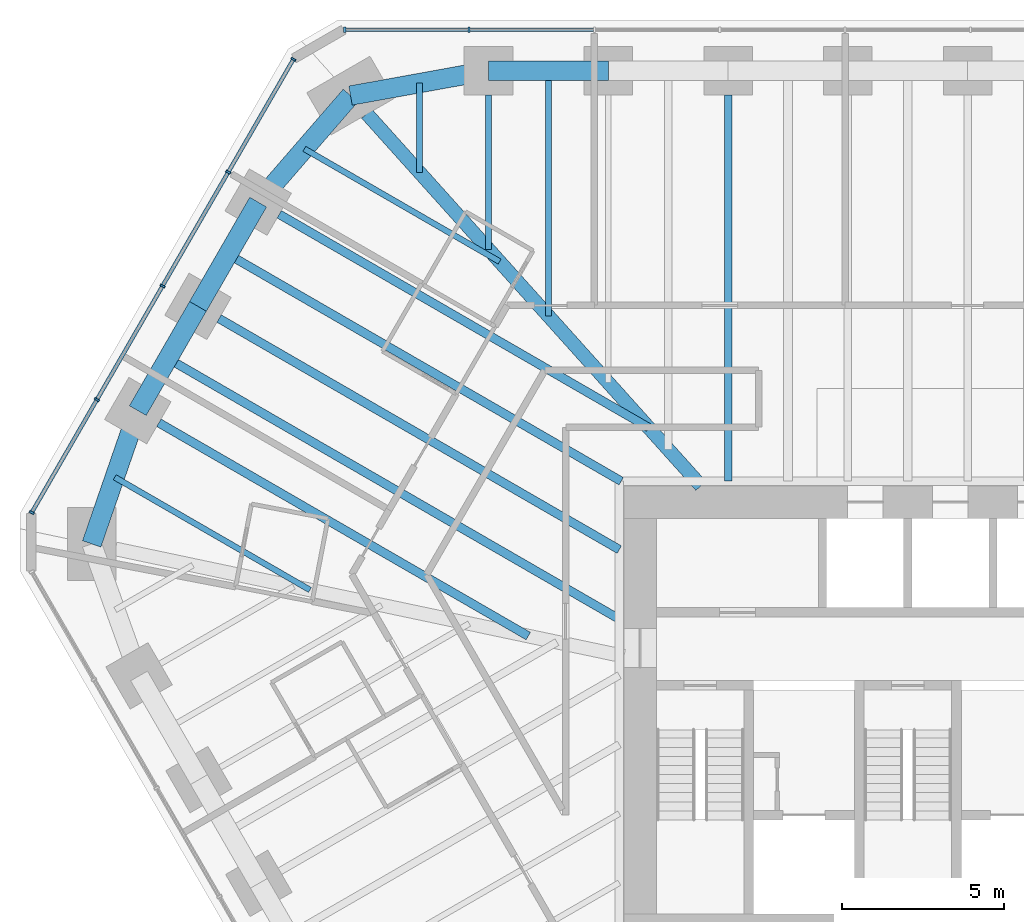
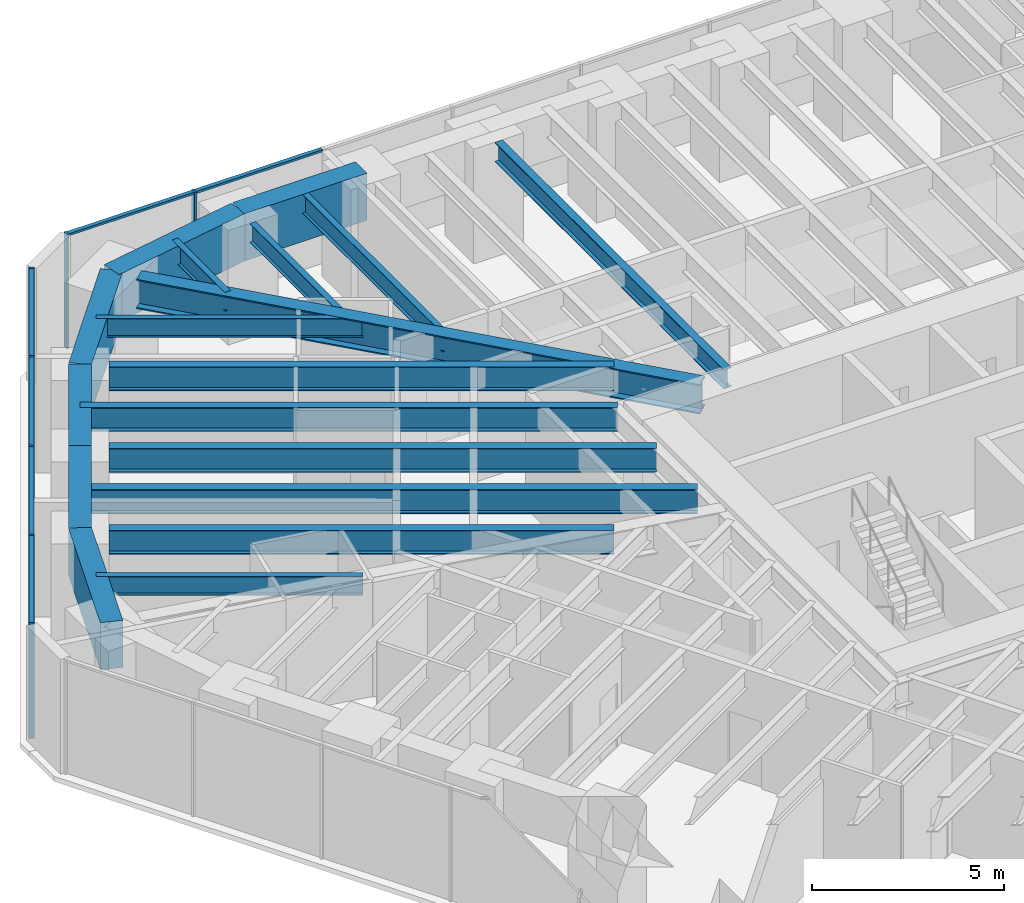
# One storey, part 7 of 16: 18 beams, 13 members, 2 elements without a shape of their own.
"""IFC4 building model written with IfcOpenShell, lengths in metres."""

from ifc_helpers import new_model, si_unit, direction, frame, origin, origin_2d, place, context, subcontext, project, spatial, rectangle, i_section, extrude, material, material_profile, profile_set, type_object, element, aggregate, save


model = new_model("IFC4")

# Units and contexts
model_context = context("Model", 3, precision=1e-05, world=origin(), true_north=direction((0.0, 1.0)))
body_context = subcontext(model_context, "Body", "Model", "MODEL_VIEW")
ifc_project = project(units=[si_unit("LENGTHUNIT", "METRE"), si_unit("AREAUNIT", "SQUARE_METRE"), si_unit("VOLUMEUNIT", "CUBIC_METRE"), si_unit("PLANEANGLEUNIT", "RADIAN"), si_unit("MASSUNIT", "GRAM", prefix="KILO")], contexts=[model_context])

# Site, building, storey
site_placement = place(None, origin())
site = spatial("IfcSite", under=ifc_project, at=site_placement, CompositionType="ELEMENT")
building_placement = place(site_placement, origin())
building = spatial("IfcBuilding", under=site, at=building_placement, Name="Sandreach Pilgrim Tower", CompositionType="ELEMENT")
storey_placement = place(building_placement, frame((0.0, 0.0, 228.800048828125)))
storey = spatial("IfcBuildingStorey", under=building, at=storey_placement, Name="L57", CompositionType="ELEMENT", Elevation=228.800048828125)

# Curtain wall, members
ifc_material_1 = material(Name="Aluminium framed curtain wall", Category="aluminium")
curtain_wall_type = type_object("IfcCurtainWallType", Name="Upper hotel tower curtain wall", PredefinedType="NOTDEFINED", material=ifc_material_1)
curtain_wall_1_placement = place(storey_placement, origin())
curtain_wall_1 = element("IfcCurtainWall", 1, at=curtain_wall_1_placement, inside=storey, type_object=curtain_wall_type, Name="CW-3 L57 N", PredefinedType="NOTDEFINED")
ifc_material_2 = material(Name="Aluminium extrusion", Category="aluminium")
ifc_material_profile_1 = material_profile(ifc_material_2, rectangle(XDim=0.06494140625, YDim=0.159912109375, at=origin_2d()), Name="CW-3M 65X160")
ifc_profile_set_1 = profile_set([ifc_material_profile_1], Name="Aluminium extrusion")
member_type_1 = type_object("IfcMemberType", Name="CW-3 mullion", PredefinedType="MULLION", material=ifc_profile_set_1)
member_1_placement = place(storey_placement, frame((-17.357421875, 21.16015625, 0.0), z_axis=(0.0, 0.0, 1.0), x_axis=(1.0, 0.0, 0.0)))
member_1 = element("IfcMember", 2, at=member_1_placement, type_object=member_type_1, Name="CW-3 mullion 1", PredefinedType="MULLION", context=body_context, shape_type="SweptSolid", body=[
    extrude(rectangle(XDim=0.06494140625, YDim=0.159912109375, at=origin_2d()), origin(), (0.0, 0.0, 1.0), 3.639892578125),
])
member_2_placement = place(storey_placement, frame((-13.525390625, 21.16015625, 0.0), z_axis=(0.0, 0.0, 1.0), x_axis=(1.0, 0.0, 0.0)))
member_2 = element("IfcMember", 3, at=member_2_placement, type_object=member_type_1, Name="CW-3 mullion 2", PredefinedType="MULLION", context=body_context, shape_type="SweptSolid", body=[
    extrude(rectangle(XDim=0.06494140625, YDim=0.159912109375, at=origin_2d()), origin(), (0.0, 0.0, 1.0), 3.639892578125),
])

curtain_wall_2_placement = place(storey_placement, origin())
curtain_wall_2 = element("IfcCurtainWall", 4, at=curtain_wall_2_placement, inside=storey, type_object=curtain_wall_type, Name="CW-3 L57 NW", PredefinedType="NOTDEFINED")
member_3_placement = place(storey_placement, frame((-27.00390625, 6.278076171875, 0.0), z_axis=(0.0, 0.0, 1.0), x_axis=(0.5, 0.866025403784, 0.0)))
member_3 = element("IfcMember", 5, at=member_3_placement, type_object=member_type_1, Name="CW-3 mullion 1", PredefinedType="MULLION", context=body_context, shape_type="SweptSolid", body=[
    extrude(rectangle(XDim=0.06494140625, YDim=0.159912109375, at=origin_2d()), origin(), (0.0, 0.0, 1.0), 3.639892578125),
])
member_4_placement = place(storey_placement, frame((-24.995849609375, 9.75634765625, 0.0), z_axis=(0.0, 0.0, 1.0), x_axis=(0.5, 0.866025403784, 0.0)))
member_4 = element("IfcMember", 6, at=member_4_placement, type_object=member_type_1, Name="CW-3 mullion 2", PredefinedType="MULLION", context=body_context, shape_type="SweptSolid", body=[
    extrude(rectangle(XDim=0.06494140625, YDim=0.159912109375, at=origin_2d()), origin(), (0.0, 0.0, 1.0), 3.639892578125),
])
member_5_placement = place(storey_placement, frame((-22.971435546875, 13.262451171875, 0.0), z_axis=(0.0, 0.0, 1.0), x_axis=(0.5, 0.866025403784, 0.0)))
member_5 = element("IfcMember", 7, at=member_5_placement, type_object=member_type_1, Name="CW-3 mullion 3", PredefinedType="MULLION", context=body_context, shape_type="SweptSolid", body=[
    extrude(rectangle(XDim=0.06494140625, YDim=0.159912109375, at=origin_2d()), origin(), (0.0, 0.0, 1.0), 3.639892578125),
])
member_6_placement = place(storey_placement, frame((-20.947021484375, 16.768798828125, 0.0), z_axis=(0.0, 0.0, 1.0), x_axis=(0.5, 0.866025403784, 0.0)))
member_6 = element("IfcMember", 8, at=member_6_placement, type_object=member_type_1, Name="CW-3 mullion 4", PredefinedType="MULLION", context=body_context, shape_type="SweptSolid", body=[
    extrude(rectangle(XDim=0.06494140625, YDim=0.159912109375, at=origin_2d()), origin(), (0.0, 0.0, 1.0), 3.639892578125),
])
member_7_placement = place(storey_placement, frame((-18.93896484375, 20.2470703125, 0.0), z_axis=(0.0, 0.0, 1.0), x_axis=(0.5, 0.866025403784, 0.0)))
member_7 = element("IfcMember", 9, at=member_7_placement, type_object=member_type_1, Name="CW-3 mullion 5", PredefinedType="MULLION", context=body_context, shape_type="SweptSolid", body=[
    extrude(rectangle(XDim=0.06494140625, YDim=0.159912109375, at=origin_2d()), origin(), (0.0, 0.0, 1.0), 3.639892578125),
])

# Member
ifc_material_3 = material(Name="Aluminium extrusion", Category="aluminium")
ifc_material_profile_2 = material_profile(ifc_material_3, rectangle(XDim=0.1201171875, YDim=0.070068359375, at=origin_2d()), Name="CW-3T 120X70")
ifc_profile_set_2 = profile_set([ifc_material_profile_2], Name="Aluminium extrusion")
member_type_2 = type_object("IfcMemberType", Name="CW-3 transom", PredefinedType="USERDEFINED", material=ifc_profile_set_2)
member_8_placement = place(storey_placement, frame((-17.324951171875, 21.16015625, 3.60498046875), z_axis=(1.0, 0.0, 0.0), x_axis=(0.0, 1.0, 0.0)))
member_8 = element("IfcMember", 10, at=member_8_placement, type_object=member_type_2, Name="CW-3 head transom 1", ObjectType="TRANSOM", PredefinedType="USERDEFINED", context=body_context, shape_type="SweptSolid", body=[
    extrude(rectangle(XDim=0.1201171875, YDim=0.070068359375, at=origin_2d()), origin(), (0.0, 0.0, 1.0), 3.76708984375),
])

member_9_placement = place(storey_placement, frame((-13.492919921875, 21.16015625, 3.60498046875), z_axis=(1.0, 0.0, 0.0), x_axis=(0.0, 1.0, 0.0)))
member_9 = element("IfcMember", 11, at=member_9_placement, type_object=member_type_2, Name="CW-3 head transom 2", ObjectType="TRANSOM", PredefinedType="USERDEFINED", context=body_context, shape_type="SweptSolid", body=[
    extrude(rectangle(XDim=0.1201171875, YDim=0.070068359375, at=origin_2d()), origin(), (0.0, 0.0, 1.0), 3.79931640625),
])

aggregate(curtain_wall_1, [member_1, member_2, member_8, member_9])

member_10_placement = place(storey_placement, frame((-26.987548828125, 6.306396484375, 3.60498046875), z_axis=(0.499993448556, 0.866029186229, 0.0), x_axis=(-0.866029186229, 0.499993448556, 0.0)))
member_10 = element("IfcMember", 12, at=member_10_placement, type_object=member_type_2, Name="CW-3 head transom 1", ObjectType="TRANSOM", PredefinedType="USERDEFINED", context=body_context, shape_type="SweptSolid", body=[
    extrude(rectangle(XDim=0.1201171875, YDim=0.070068359375, at=origin_2d()), origin(), (0.0, 0.0, 1.0), 3.951171875),
])

member_11_placement = place(storey_placement, frame((-24.9794921875, 9.784423828125, 3.60498046875), z_axis=(0.499975332564, 0.866039645067, 0.0), x_axis=(-0.866039645067, 0.499975332564, 0.0)))
member_11 = element("IfcMember", 13, at=member_11_placement, type_object=member_type_2, Name="CW-3 head transom 2", ObjectType="TRANSOM", PredefinedType="USERDEFINED", context=body_context, shape_type="SweptSolid", body=[
    extrude(rectangle(XDim=0.1201171875, YDim=0.070068359375, at=origin_2d()), origin(), (0.0, 0.0, 1.0), 3.983642578125),
])

member_12_placement = place(storey_placement, frame((-22.955078125, 13.290771484375, 3.60498046875), z_axis=(0.499975332564, 0.866039645067, 0.0), x_axis=(-0.866039645067, 0.499975332564, 0.0)))
member_12 = element("IfcMember", 14, at=member_12_placement, type_object=member_type_2, Name="CW-3 head transom 3", ObjectType="TRANSOM", PredefinedType="USERDEFINED", context=body_context, shape_type="SweptSolid", body=[
    extrude(rectangle(XDim=0.1201171875, YDim=0.070068359375, at=origin_2d()), origin(), (0.0, 0.0, 1.0), 3.983642578125),
])

member_13_placement = place(storey_placement, frame((-20.930908203125, 16.796875, 3.60498046875), z_axis=(0.499993448556, 0.866029186229, 0.0), x_axis=(-0.866029186229, 0.499993448556, 0.0)))
member_13 = element("IfcMember", 15, at=member_13_placement, type_object=member_type_2, Name="CW-3 head transom 4", ObjectType="TRANSOM", PredefinedType="USERDEFINED", context=body_context, shape_type="SweptSolid", body=[
    extrude(rectangle(XDim=0.1201171875, YDim=0.070068359375, at=origin_2d()), origin(), (0.0, 0.0, 1.0), 3.951171875),
])

aggregate(curtain_wall_2, [member_3, member_4, member_5, member_6, member_7, member_10, member_11, member_12, member_13])

# Beams
ifc_material_4 = material(Name="Steel ASTM A992 Grade 50", Category="steel")
ifc_material_profile_3 = material_profile(ifc_material_4, i_section(OverallWidth=0.421630859375, OverallDepth=0.937255859375, WebThickness=0.0224609375, FlangeThickness=0.039794921875, at=origin_2d()), Name="W36X282")
ifc_profile_set_3 = profile_set([ifc_material_profile_3], Name="Steel ASTM A992 Grade 50")
beam_type_1 = type_object("IfcBeamType", Name="Corner girder W36X282", PredefinedType="BEAM", material=ifc_profile_set_3)
beam_1_placement = place(storey_placement, frame((-16.677001953125, 18.572509765625, 3.17138671875), z_axis=(0.668116607722, -0.744056582853, 0.0), x_axis=(0.744056582853, 0.668116607722, 0.0)))
element("IfcBeam", 16, at=beam_1_placement, inside=storey, type_object=beam_type_1, Name="BM L57 CG39", PredefinedType="BEAM", context=body_context, shape_type="SweptSolid", body=[
    extrude(i_section(OverallWidth=0.421630859375, OverallDepth=0.937255859375, WebThickness=0.0224609375, FlangeThickness=0.039794921875, at=origin_2d()), origin(), (0.0, 0.0, 1.0), 15.418701171875),
])
ifc_material_5 = material(Name="Steel ASTM A992 Grade 50", Category="steel")
ifc_material_profile_4 = material_profile(ifc_material_5, i_section(OverallWidth=0.1787109375, OverallDepth=0.60205078125, WebThickness=0.010986328125, FlangeThickness=0.014892578125, at=origin_2d()), Name="W24X62")
ifc_profile_set_4 = profile_set([ifc_material_profile_4], Name="Steel ASTM A992 Grade 50")
beam_type_2 = type_object("IfcBeamType", Name="Floor beam W24X62", PredefinedType="BEAM", material=ifc_profile_set_4)
beam_2_placement = place(storey_placement, frame((-12.923828125, 19.150146484375, 3.3388671875), z_axis=(0.0, -1.0, 0.0), x_axis=(1.0, 0.0, 0.0)))
element("IfcBeam", 17, at=beam_2_placement, inside=storey, type_object=beam_type_2, Name="BM L57 F01", PredefinedType="BEAM", context=body_context, shape_type="SweptSolid", body=[
    extrude(i_section(OverallWidth=0.1787109375, OverallDepth=0.60205078125, WebThickness=0.010986328125, FlangeThickness=0.014892578125, at=origin_2d()), origin(), (0.0, 0.0, 1.0), 4.757568359375),
])
beam_3_placement = place(storey_placement, frame((-11.077392578125, 19.900146484375, 3.3388671875), z_axis=(0.0, -1.0, 0.0), x_axis=(1.0, 0.0, 0.0)))
element("IfcBeam", 18, at=beam_3_placement, inside=storey, type_object=beam_type_2, Name="BM L57 FM01", PredefinedType="BEAM", context=body_context, shape_type="SweptSolid", body=[
    extrude(i_section(OverallWidth=0.1787109375, OverallDepth=0.60205078125, WebThickness=0.010986328125, FlangeThickness=0.014892578125, at=origin_2d()), origin(), (0.0, 0.0, 1.0), 7.563720703125),
])
for number, where, z_axis, x_axis, name in (
    (19, (-24.446044921875, 7.365234375, 3.3388671875), (0.866029381593, -0.499993110171, 0.0), (0.499993110171, 0.866029381593, 0.0), "BM L57 FM35"),
    (20, (-18.6015625, 17.48828125, 3.3388671875), (0.866029381593, -0.499993110171, 0.0), (0.499993110171, 0.866029381593, 0.0), "BM L57 FM38"),
):
    element("IfcBeam", number, at=place(storey_placement, frame(where, z_axis=z_axis, x_axis=x_axis)), inside=storey, type_object=beam_type_2, Name=name, PredefinedType="BEAM", context=body_context, shape_type="SweptSolid", body=[
        extrude(i_section(OverallWidth=0.1787109375, OverallDepth=0.60205078125, WebThickness=0.010986328125, FlangeThickness=0.014892578125, at=origin_2d()), origin(), (0.0, 0.0, 1.0), 6.94921875),
    ])
beam_4_placement = place(storey_placement, frame((-15.05078125, 19.515380859375, 3.3388671875), z_axis=(0.0, -1.0, 0.0), x_axis=(1.0, 0.0, 0.0)))
element("IfcBeam", 21, at=beam_4_placement, inside=storey, type_object=beam_type_2, Name="BM L57 FM39", PredefinedType="BEAM", context=body_context, shape_type="SweptSolid", body=[
    extrude(i_section(OverallWidth=0.1787109375, OverallDepth=0.60205078125, WebThickness=0.010986328125, FlangeThickness=0.014892578125, at=origin_2d()), origin(), (0.0, 0.0, 1.0), 2.75390625),
])
ifc_material_6 = material(Name="Steel ASTM A992 Grade 50", Category="steel")
ifc_material_profile_5 = material_profile(ifc_material_6, i_section(OverallWidth=0.23046875, OverallDepth=0.6171875, WebThickness=0.01318359375, FlangeThickness=0.022216796875, at=origin_2d()), Name="W24X94")
ifc_profile_set_5 = profile_set([ifc_material_profile_5], Name="Steel ASTM A992 Grade 50")
beam_type_3 = type_object("IfcBeamType", Name="Floor beam W24X94", PredefinedType="BEAM", material=ifc_profile_set_5)
beam_5_placement = place(storey_placement, frame((-5.538818359375, 19.150146484375, 3.331298828125), z_axis=(0.0, -1.0, 0.0), x_axis=(1.0, 0.0, 0.0)))
element("IfcBeam", 22, at=beam_5_placement, inside=storey, type_object=beam_type_3, Name="BM L57 F03", PredefinedType="BEAM", context=body_context, shape_type="SweptSolid", body=[
    extrude(i_section(OverallWidth=0.23046875, OverallDepth=0.6171875, WebThickness=0.01318359375, FlangeThickness=0.022216796875, at=origin_2d()), origin(), (0.0, 0.0, 1.0), 11.90673828125),
])
ifc_material_7 = material(Name="Steel ASTM A992 Grade 50", Category="steel")
ifc_material_profile_6 = material_profile(ifc_material_7, i_section(OverallWidth=0.2666015625, OverallDepth=0.761962890625, WebThickness=0.014404296875, FlangeThickness=0.021484375, at=origin_2d()), Name="W30X116")
ifc_profile_set_6 = profile_set([ifc_material_profile_6], Name="Steel ASTM A992 Grade 50")
beam_type_4 = type_object("IfcBeamType", Name="Floor beam W30X116", PredefinedType="BEAM", material=ifc_profile_set_6)
beam_6_placement = place(storey_placement, frame((-23.0859375, 9.044189453125, 3.259033203125), z_axis=(0.866026962808, -0.499997299682, 0.0), x_axis=(0.499997299682, 0.866026962808, 0.0)))
element("IfcBeam", 23, at=beam_6_placement, inside=storey, type_object=beam_type_4, Name="BM L57 F36", PredefinedType="BEAM", context=body_context, shape_type="SweptSolid", body=[
    extrude(i_section(OverallWidth=0.2666015625, OverallDepth=0.761962890625, WebThickness=0.014404296875, FlangeThickness=0.021484375, at=origin_2d()), origin(), (0.0, 0.0, 1.0), 13.1484375),
])
beam_7_placement = place(storey_placement, frame((-21.230712890625, 12.257568359375, 3.259033203125), z_axis=(0.866024056942, -0.500002332792, 0.0), x_axis=(0.500002332792, 0.866024056942, 0.0)))
element("IfcBeam", 24, at=beam_7_placement, inside=storey, type_object=beam_type_4, Name="BM L57 F37", PredefinedType="BEAM", context=body_context, shape_type="SweptSolid", body=[
    extrude(i_section(OverallWidth=0.2666015625, OverallDepth=0.761962890625, WebThickness=0.014404296875, FlangeThickness=0.021484375, at=origin_2d()), origin(), (0.0, 0.0, 1.0), 14.24609375),
])
beam_8_placement = place(storey_placement, frame((-19.37548828125, 15.470947265625, 3.259033203125), z_axis=(0.866022320763, -0.500005339912, 0.0), x_axis=(0.500005339912, 0.866022320763, 0.0)))
element("IfcBeam", 25, at=beam_8_placement, inside=storey, type_object=beam_type_4, Name="BM L57 F38", PredefinedType="BEAM", context=body_context, shape_type="SweptSolid", body=[
    extrude(i_section(OverallWidth=0.2666015625, OverallDepth=0.761962890625, WebThickness=0.014404296875, FlangeThickness=0.021484375, at=origin_2d()), origin(), (0.0, 0.0, 1.0), 13.148193359375),
])
beam_9_placement = place(storey_placement, frame((-20.95263671875, 14.2392578125, 3.259033203125), z_axis=(0.866025770688, -0.499999364504, 0.0), x_axis=(0.499999364504, 0.866025770688, 0.0)))
element("IfcBeam", 26, at=beam_9_placement, inside=storey, type_object=beam_type_4, Name="BM L57 FM37", PredefinedType="BEAM", context=body_context, shape_type="SweptSolid", body=[
    extrude(i_section(OverallWidth=0.2666015625, OverallDepth=0.761962890625, WebThickness=0.014404296875, FlangeThickness=0.021484375, at=origin_2d()), origin(), (0.0, 0.0, 1.0), 13.99169921875),
])
ifc_material_8 = material(Name="Steel ASTM A992 Grade 50", Category="steel")
ifc_material_profile_7 = material_profile(ifc_material_8, i_section(OverallWidth=0.2666015625, OverallDepth=0.77978515625, WebThickness=0.0166015625, FlangeThickness=0.030029296875, at=origin_2d()), Name="W30X148")
ifc_profile_set_7 = profile_set([ifc_material_profile_7], Name="Steel ASTM A992 Grade 50")
beam_type_5 = type_object("IfcBeamType", Name="Floor beam W30X148", PredefinedType="BEAM", material=ifc_profile_set_7)
beam_10_placement = place(storey_placement, frame((-22.807861328125, 11.02587890625, 3.25), z_axis=(0.866028701771, -0.499994287676, 0.0), x_axis=(0.499994287676, 0.866028701771, 0.0)))
element("IfcBeam", 27, at=beam_10_placement, inside=storey, type_object=beam_type_5, Name="BM L57 FM36", PredefinedType="BEAM", context=body_context, shape_type="SweptSolid", body=[
    extrude(i_section(OverallWidth=0.2666015625, OverallDepth=0.77978515625, WebThickness=0.0166015625, FlangeThickness=0.030029296875, at=origin_2d()), origin(), (0.0, 0.0, 1.0), 16.067138671875),
])
ifc_material_9 = material(Name="Concrete 10000 psi", Category="concrete")
ifc_material_profile_8 = material_profile(ifc_material_9, rectangle(XDim=0.60009765625, YDim=1.5, at=origin_2d()), Name="RC600X1500")
ifc_profile_set_8 = profile_set([ifc_material_profile_8], Name="Concrete 10000 psi")
beam_type_6 = type_object("IfcBeamType", Name="Spandrel beam RC600X1500", PredefinedType="SPANDREL", material=ifc_profile_set_8)
beam_11_placement = place(storey_placement, frame((-12.923828125, 19.900146484375, 2.889892578125), z_axis=(1.0, 0.0, 0.0), x_axis=(0.0, 1.0, 0.0)))
element("IfcBeam", 28, at=beam_11_placement, inside=storey, type_object=beam_type_6, Name="BM L57 SP01", PredefinedType="SPANDREL", context=body_context, shape_type="SweptSolid", body=[
    extrude(rectangle(XDim=0.60009765625, YDim=1.5, at=origin_2d()), origin(), (0.0, 0.0, 1.0), 3.692626953125),
])
beam_12_placement = place(storey_placement, frame((-25.156494140625, 5.311279296875, 2.889892578125), z_axis=(0.326940800053, 0.945044820768, 0.0), x_axis=(-0.945044820768, 0.326940800053, 0.0)))
element("IfcBeam", 29, at=beam_12_placement, inside=storey, type_object=beam_type_6, Name="BM L57 SP35", PredefinedType="SPANDREL", context=body_context, shape_type="SweptSolid", body=[
    extrude(rectangle(XDim=0.60009765625, YDim=1.5, at=origin_2d()), origin(), (0.0, 0.0, 1.0), 4.3466796875),
])
for number, where, z_axis, x_axis, name in (
    (30, (-23.7353515625, 9.419189453125, 2.889892578125), (0.499946491854, 0.866056294523, 0.0), (-0.866056294523, 0.499946491854, 0.0), "BM L57 SP36"),
    (31, (-21.88037109375, 12.632568359375, 2.889892578125), (0.499995842751, 0.86602780396, 0.0), (-0.86602780396, 0.499995842751, 0.0), "BM L57 SP37"),
):
    element("IfcBeam", number, at=place(storey_placement, frame(where, z_axis=z_axis, x_axis=x_axis)), inside=storey, type_object=beam_type_6, Name=name, PredefinedType="SPANDREL", context=body_context, shape_type="SweptSolid", body=[
        extrude(rectangle(XDim=0.60009765625, YDim=1.5, at=origin_2d()), origin(), (0.0, 0.0, 1.0), 3.71044921875),
    ])
beam_13_placement = place(storey_placement, frame((-20.025146484375, 15.845947265625, 2.889892578125), z_axis=(0.65499040715, 0.755637192402, 0.0), x_axis=(-0.755637192402, 0.65499040715, 0.0)))
element("IfcBeam", 32, at=beam_13_placement, inside=storey, type_object=beam_type_6, Name="BM L57 SP38", PredefinedType="SPANDREL", context=body_context, shape_type="SweptSolid", body=[
    extrude(rectangle(XDim=0.60009765625, YDim=1.5, at=origin_2d()), origin(), (0.0, 0.0, 1.0), 4.346923828125),
])
beam_14_placement = place(storey_placement, frame((-17.177978515625, 19.130615234375, 2.889892578125), z_axis=(0.984030345637, 0.178000783326, 0.0), x_axis=(-0.178000783326, 0.984030345637, 0.0)))
element("IfcBeam", 33, at=beam_14_placement, inside=storey, type_object=beam_type_6, Name="BM L57 SP39", PredefinedType="SPANDREL", context=body_context, shape_type="SweptSolid", body=[
    extrude(rectangle(XDim=0.60009765625, YDim=1.5, at=origin_2d()), origin(), (0.0, 0.0, 1.0), 4.3232421875),
])

save(model, "model.ifc")
